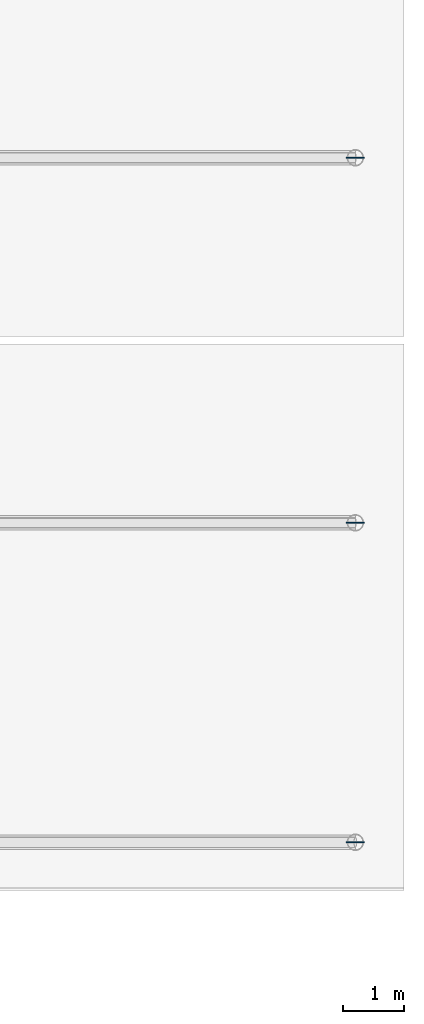
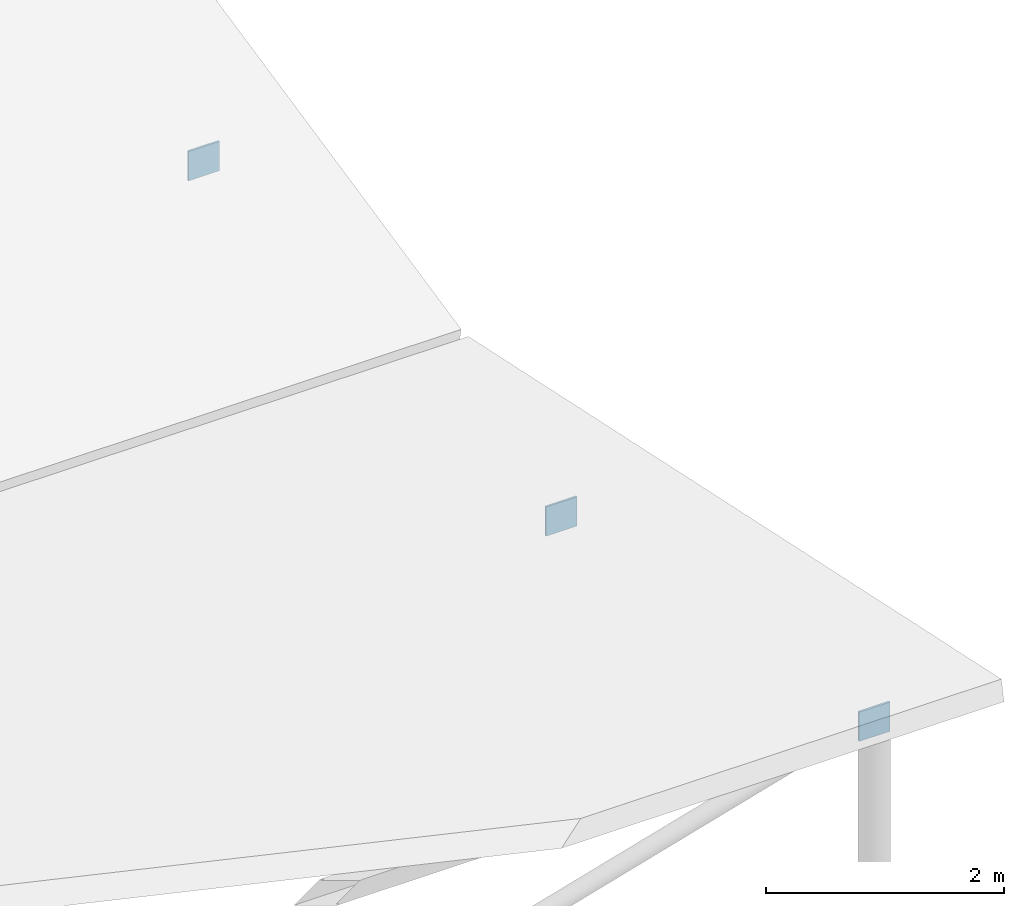
# One storey, part 129 of 146: 3 plates.
"""IFC4 building model written with IfcOpenShell, lengths in metres."""

from ifc_helpers import new_model, si_unit, direction, frame, origin, origin_2d, place, context, subcontext, project, spatial, rectangle, extrude, material, layer, layer_set, type_object, element, save


model = new_model("IFC4")

# Units and contexts
model_context = context("Model", 3, precision=1e-05, world=origin(), true_north=direction((0.0, 1.0)))
body_context = subcontext(model_context, "Body", "Model", "MODEL_VIEW")
ifc_project = project(units=[si_unit("LENGTHUNIT", "METRE"), si_unit("AREAUNIT", "SQUARE_METRE"), si_unit("VOLUMEUNIT", "CUBIC_METRE"), si_unit("PLANEANGLEUNIT", "RADIAN"), si_unit("MASSUNIT", "GRAM", prefix="KILO")], contexts=[model_context])

# Site, building, storey
site_placement = place(None, origin())
site = spatial("IfcSite", under=ifc_project, at=site_placement, CompositionType="ELEMENT")
building_placement = place(site_placement, origin())
building = spatial("IfcBuilding", under=site, at=building_placement, Name="Valcora Specialist Clinic", CompositionType="ELEMENT")
storey_placement = place(building_placement, frame((0.0, 0.0, 9.52001953125)))
storey = spatial("IfcBuildingStorey", under=building, at=storey_placement, Name="L02", CompositionType="ELEMENT", Elevation=9.52001953125)

# Plates
ifc_material = material(Name="Steel ASTM A572 Grade 50", Category="steel")
ifc_layer = layer(ifc_material, 0.02001953125)
ifc_layer_set = layer_set([ifc_layer], Name="Steel ASTM A572 Grade 50")
plate_type = type_object("IfcPlateType", Name="TY-PL-EC273", PredefinedType="USERDEFINED", material=ifc_layer_set)
for number, where, z_axis, x_axis, name in (
    (1, (161.199951171875, 38.75, 1.75732421875), (0.0, 0.0, 1.0), (1.0, 0.0, 0.0), "Stub post end-cap plate COL-RFV3-1612-387"),
    (2, (161.199951171875, 44.0, 0.6748046875), (0.0, 0.0, 1.0), (1.0, 0.0, 0.0), "Stub post end-cap plate COL-RFV3-1612-440"),
    (3, (161.199951171875, 50.0, 0.6748046875), (0.0, 0.0, 1.0), (1.0, 0.0, 0.0), "Stub post end-cap plate COL-RFV3-1612-500"),
):
    element("IfcPlate", number, at=place(storey_placement, frame(where, z_axis=z_axis, x_axis=x_axis)), inside=storey, type_object=plate_type, Name=name, ObjectType="FLANGE_PLATE", PredefinedType="USERDEFINED", context=body_context, shape_type="SweptSolid", body=[
        extrude(rectangle(XDim=0.300048828125, YDim=0.02001953125, at=origin_2d()), origin(), (0.0, 0.0, 1.0), 0.300048828125),
    ])

save(model, "model.ifc")
